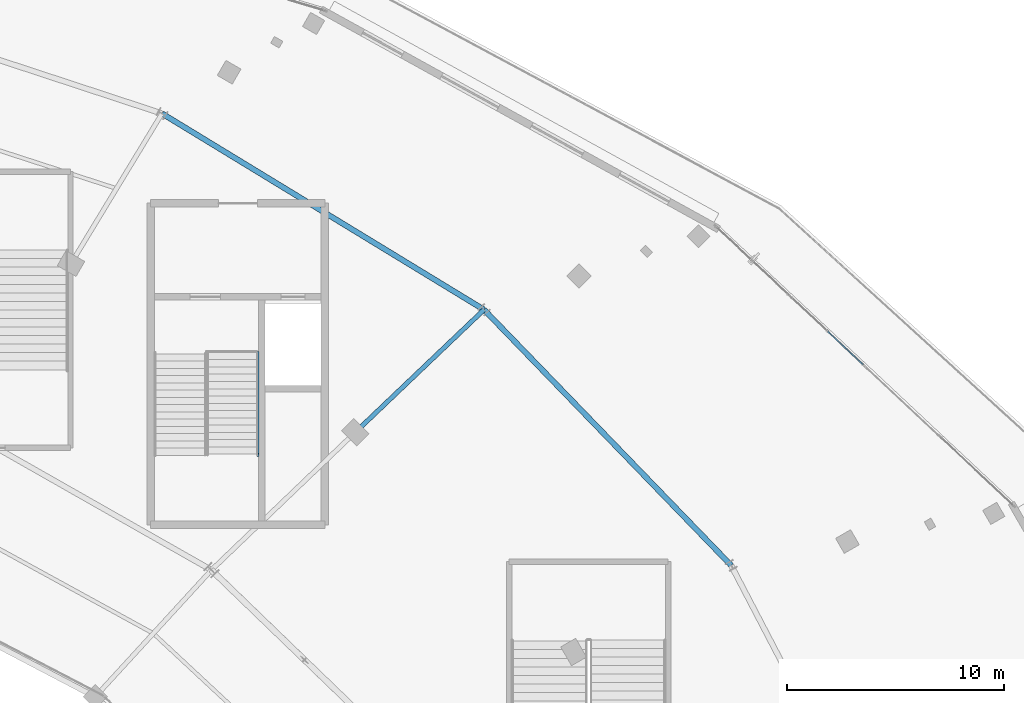
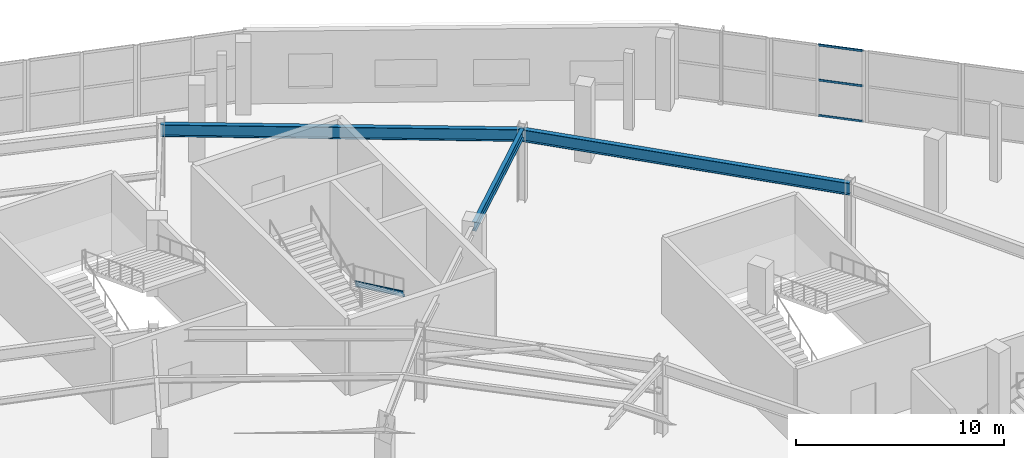
# One storey, part 58 of 107: 4 members, 3 beams, 1 element without a shape of its own.
"""IFC4 building model written with IfcOpenShell, lengths in metres."""

from ifc_helpers import new_model, si_unit, direction, frame, origin, origin_2d, place, context, subcontext, project, spatial, hollow_rectangle, i_section, extrude, material, layer, layer_set, material_profile, profile_set, type_object, element, aggregate, save


model = new_model("IFC4")

# Units and contexts
model_context = context("Model", 3, precision=1e-05, world=origin(), true_north=direction((0.0, 1.0)))
body_context = subcontext(model_context, "Body", "Model", "MODEL_VIEW")
ifc_project = project(units=[si_unit("LENGTHUNIT", "METRE"), si_unit("AREAUNIT", "SQUARE_METRE"), si_unit("VOLUMEUNIT", "CUBIC_METRE"), si_unit("PLANEANGLEUNIT", "RADIAN"), si_unit("MASSUNIT", "GRAM", prefix="KILO")], contexts=[model_context])

# Site, building, storey
site_placement = place(None, origin())
site = spatial("IfcSite", under=ifc_project, at=site_placement, CompositionType="ELEMENT")
building_placement = place(site_placement, origin())
building = spatial("IfcBuilding", under=site, at=building_placement, Name="Kalgoora Escarpment Arena", CompositionType="ELEMENT")
storey_placement = place(building_placement, frame((0.0, 0.0, 5.39990234375)))
storey = spatial("IfcBuildingStorey", under=building, at=storey_placement, Name="L01", CompositionType="ELEMENT", Elevation=5.39990234375)

# Beams
ifc_material_1 = material(Name="Structural steel AS/NZS 3679 (300 MPa)", Category="steel")
ifc_material_profile_1 = material_profile(ifc_material_1, i_section(OverallWidth=0.208984375, OverallDepth=0.532958984375, WebThickness=0.01025390625, FlangeThickness=0.015625, at=origin_2d()))
ifc_profile_set_1 = profile_set([ifc_material_profile_1], Name="Structural steel AS/NZS 3679 (300 MPa)")
beam_type_1 = type_object("IfcBeamType", Name="BM-GIRDER-530UB92.4", PredefinedType="USERDEFINED", material=ifc_profile_set_1)
beam_1_placement = place(storey_placement, frame((137.230712890625, 98.648193359375, 3.95361328125), z_axis=(0.724130144905, 0.689663347757, 0.0), x_axis=(-0.689663347757, 0.724130144905, 0.0)))
element("IfcBeam", 1, at=beam_1_placement, inside=storey, type_object=beam_type_1, Name="L01 Radial concourse girder 530UB92.4", ObjectType="GIRDER", PredefinedType="USERDEFINED", context=body_context, shape_type="SweptSolid", body=[
    extrude(i_section(OverallWidth=0.208984375, OverallDepth=0.532958984375, WebThickness=0.01025390625, FlangeThickness=0.015625, at=origin_2d()), origin(), (0.0, 0.0, 1.0), 8.20263671875),
])
ifc_material_2 = material(Name="Structural steel AS/NZS 3679 (300 MPa)", Category="steel")
ifc_material_profile_2 = material_profile(ifc_material_2, i_section(OverallWidth=0.25, OverallDepth=0.699951171875, WebThickness=0.010009765625, FlangeThickness=0.02001953125, at=origin_2d()))
ifc_profile_set_2 = profile_set([ifc_material_profile_2], Name="Structural steel AS/NZS 3679 (300 MPa)")
beam_type_2 = type_object("IfcBeamType", Name="BM-SPANDREL-700WB130", PredefinedType="SPANDREL", material=ifc_profile_set_2)
beam_2_placement = place(storey_placement, frame((154.58056640625, 92.5, 3.8701171875), z_axis=(-0.694974435465, 0.719034445663, 0.0), x_axis=(-0.719034445663, -0.694974435465, 0.0)))
element("IfcBeam", 2, at=beam_2_placement, inside=storey, type_object=beam_type_2, Name="L01 Circumferential concourse girder RCONC2 700WB130", PredefinedType="SPANDREL", context=body_context, shape_type="SweptSolid", body=[
    extrude(i_section(OverallWidth=0.25, OverallDepth=0.699951171875, WebThickness=0.010009765625, FlangeThickness=0.02001953125, at=origin_2d()), origin(), (0.0, 0.0, 1.0), 16.418212890625),
])
beam_3_placement = place(storey_placement, frame((143.17041015625, 104.30517578125, 3.8701171875), z_axis=(-0.854030640858, 0.520222706613, 0.0), x_axis=(-0.520222706613, -0.854030640858, 0.0)))
element("IfcBeam", 3, at=beam_3_placement, inside=storey, type_object=beam_type_2, Name="L01 Circumferential concourse girder RCONC2 700WB130", PredefinedType="SPANDREL", context=body_context, shape_type="SweptSolid", body=[
    extrude(i_section(OverallWidth=0.25, OverallDepth=0.699951171875, WebThickness=0.010009765625, FlangeThickness=0.02001953125, at=origin_2d()), origin(), (0.0, 0.0, 1.0), 17.411865234375),
])

# Curtain wall, members
ifc_material_3 = material(Name=" Champagne anodised aluminium & double-glazed low-E", Category="aluminium")
ifc_layer = layer(ifc_material_3, 0.154052734375)
ifc_layer_set = layer_set([ifc_layer], Name="CW-UNIT-11")
curtain_wall_type = type_object("IfcCurtainWallType", Name="CW-UNIT-11", PredefinedType="NOTDEFINED", material=ifc_layer_set)
curtain_wall_placement = place(storey_placement, origin())
curtain_wall = element("IfcCurtainWall", 4, at=curtain_wall_placement, inside=storey, type_object=curtain_wall_type, Name="L01 unitised facade curtain wall 030", PredefinedType="NOTDEFINED")
ifc_material_4 = material(Name="Anodised aluminium 6063-T6", Category="aluminium")
ifc_material_profile_3 = material_profile(ifc_material_4, hollow_rectangle(XDim=0.054931640625, YDim=0.1201171875, WallThickness=0.003173828125, at=origin_2d()))
ifc_profile_set_3 = profile_set([ifc_material_profile_3], Name="Anodised aluminium 6063-T6")
member_type_1 = type_object("IfcMemberType", Name="MEM-CW-TRAN-120", PredefinedType="USERDEFINED", material=ifc_profile_set_3)
member_1_placement = place(storey_placement, frame((159.042724609375, 103.294921875, 0.047607421875), z_axis=(0.729520126816, -0.683959344238, 0.0), x_axis=(0.683959344238, 0.729520126816, 0.0)))
member_1 = element("IfcMember", 5, at=member_1_placement, type_object=member_type_1, Name="CW-11 transom 2.1", ObjectType="TRANSOM", PredefinedType="USERDEFINED", context=body_context, shape_type="SweptSolid", body=[
    extrude(hollow_rectangle(XDim=0.054931640625, YDim=0.1201171875, WallThickness=0.003173828125, at=origin_2d()), origin(), (0.0, 0.0, 1.0), 2.229248046875),
])
member_2_placement = place(storey_placement, frame((159.042724609375, 103.294921875, 2.125), z_axis=(0.729520126816, -0.683959344238, 0.0), x_axis=(0.683959344238, 0.729520126816, 0.0)))
member_2 = element("IfcMember", 6, at=member_2_placement, type_object=member_type_1, Name="CW-11 transom 2.2", ObjectType="TRANSOM", PredefinedType="USERDEFINED", context=body_context, shape_type="SweptSolid", body=[
    extrude(hollow_rectangle(XDim=0.054931640625, YDim=0.1201171875, WallThickness=0.003173828125, at=origin_2d()), origin(), (0.0, 0.0, 1.0), 2.229248046875),
])
member_3_placement = place(storey_placement, frame((159.042724609375, 103.294921875, 4.1826171875), z_axis=(0.729520126816, -0.683959344238, 0.0), x_axis=(0.683959344238, 0.729520126816, 0.0)))
member_3 = element("IfcMember", 7, at=member_3_placement, type_object=member_type_1, Name="CW-11 transom 2.3", ObjectType="TRANSOM", PredefinedType="USERDEFINED", context=body_context, shape_type="SweptSolid", body=[
    extrude(hollow_rectangle(XDim=0.054931640625, YDim=0.1201171875, WallThickness=0.003173828125, at=origin_2d()), origin(), (0.0, 0.0, 1.0), 2.229248046875),
])
aggregate(curtain_wall, [member_1, member_2, member_3])

# Member
ifc_material_5 = material(Name="Structural steel AS/NZS 3679 (300 MPa)", Category="steel")
ifc_material_profile_4 = material_profile(ifc_material_5, i_section(OverallWidth=0.090087890625, OverallDepth=0.300048828125, WebThickness=0.008056640625, FlangeThickness=0.01611328125, at=origin_2d()))
ifc_profile_set_4 = profile_set([ifc_material_profile_4], Name="Structural steel AS/NZS 3679 (300 MPa)")
member_type_2 = type_object("IfcMemberType", Name="MEM-STRINGER-PFC", PredefinedType="STRINGER", material=ifc_profile_set_4)
member_4_placement = place(storey_placement, frame((132.72998046875, 102.31005859375, -0.039794921875), z_axis=(0.0, -0.902682652253, 0.430306901317), x_axis=(1.0, 0.0, 0.0)))
element("IfcMember", 8, at=member_4_placement, inside=storey, type_object=member_type_2, Name="ST04 L01 steel stair stringer 1", PredefinedType="STRINGER", context=body_context, shape_type="SweptSolid", body=[
    extrude(i_section(OverallWidth=0.090087890625, OverallDepth=0.300048828125, WebThickness=0.008056640625, FlangeThickness=0.01611328125, at=origin_2d()), origin(), (0.0, 0.0, 1.0), 5.228759765625),
])

save(model, "model.ifc")
